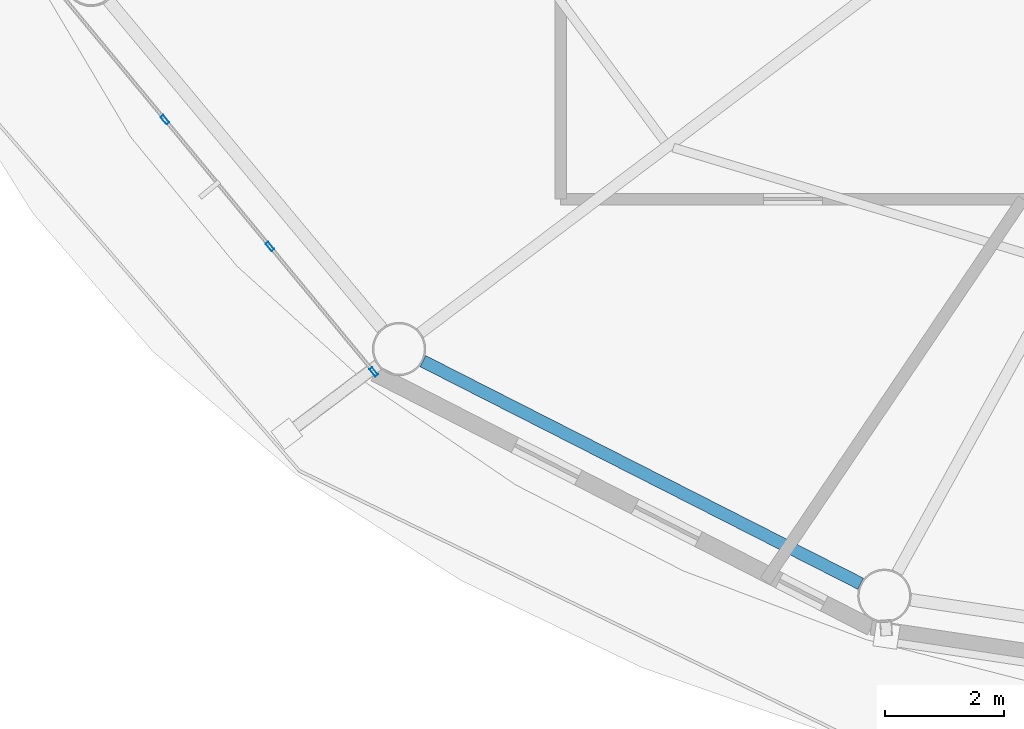
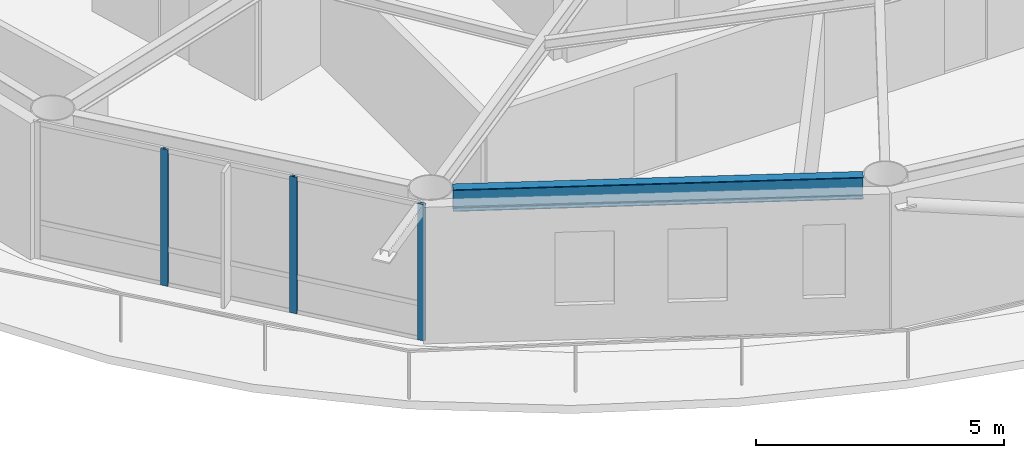
# One storey, part 2 of 23: 3 members, 1 beam, 1 element without a shape of its own.
"""IFC4 building model written with IfcOpenShell, lengths in metres."""

from ifc_helpers import new_model, si_unit, direction, frame, origin, origin_2d, place, context, subcontext, project, spatial, hollow_rectangle, i_section, extrude, material, layer, layer_set, material_profile, profile_set, type_object, element, aggregate, save


model = new_model("IFC4")

# Units and contexts
model_context = context("Model", 3, precision=1e-05, world=origin(), true_north=direction((0.0, 1.0)))
body_context = subcontext(model_context, "Body", "Model", "MODEL_VIEW")
ifc_project = project(units=[si_unit("LENGTHUNIT", "METRE"), si_unit("AREAUNIT", "SQUARE_METRE"), si_unit("VOLUMEUNIT", "CUBIC_METRE"), si_unit("PLANEANGLEUNIT", "RADIAN"), si_unit("MASSUNIT", "GRAM", prefix="KILO")], contexts=[model_context])

# Site, building, storey
site_placement = place(None, origin())
site = spatial("IfcSite", under=ifc_project, at=site_placement, CompositionType="ELEMENT")
building_placement = place(site_placement, origin())
building = spatial("IfcBuilding", under=site, at=building_placement, Name="Sarneth Arch Tower", CompositionType="ELEMENT")
storey_placement = place(building_placement, frame((0.0, 0.0, 231.60009765625)))
storey = spatial("IfcBuildingStorey", under=building, at=storey_placement, Name="L59", CompositionType="ELEMENT", Elevation=231.60009765625)

# Beam
ifc_material_1 = material(Name="Steel S355", Category="steel")
ifc_material_profile_1 = material_profile(ifc_material_1, i_section(OverallWidth=0.2109375, OverallDepth=0.5390625, WebThickness=0.01171875, FlangeThickness=0.018798828125, FilletRadius=0.01806640625, at=origin_2d()), Name="W530x109")
ifc_profile_set_1 = profile_set([ifc_material_profile_1], Name="Steel S355")
beam_type = type_object("IfcBeamType", Name="BM-RAD-530B", PredefinedType="BEAM", material=ifc_profile_set_1)
beam_placement = place(storey_placement, frame((30.42578125, 28.219482421875, 3.09033203125), z_axis=(0.891376248079, -0.453264144138, 0.0), x_axis=(0.453264144138, 0.891376248079, 0.0)))
element("IfcBeam", 1, at=beam_placement, inside=storey, type_object=beam_type, Name="L59 Perimeter spandrel beam 11", PredefinedType="BEAM", context=body_context, shape_type="SweptSolid", body=[
    extrude(i_section(OverallWidth=0.2109375, OverallDepth=0.5390625, WebThickness=0.01171875, FlangeThickness=0.018798828125, FilletRadius=0.01806640625, at=origin_2d()), origin(), (0.0, 0.0, 1.0), 8.281982421875),
])

# Curtain wall, members
ifc_material_2 = material(Name="Anodised aluminium Type AA25 and solar-control low-e laminated IGU", Category="aluminium")
ifc_layer = layer(ifc_material_2, 0.179931640625)
ifc_layer_set = layer_set([ifc_layer], Name="Anodised aluminium Type AA25 and solar-control low-e laminated IGU")
curtain_wall_type = type_object("IfcCurtainWallType", Name="CW-RES-HIGH", PredefinedType="NOTDEFINED", material=ifc_layer_set)
curtain_wall_placement = place(storey_placement, origin())
curtain_wall = element("IfcCurtainWall", 2, at=curtain_wall_placement, inside=storey, type_object=curtain_wall_type, Name="L59 Unitised curtain wall facet 10", PredefinedType="NOTDEFINED")
ifc_material_3 = material(Name="Anodised Aluminium 6063-T6", Category="aluminium")
ifc_material_profile_2 = material_profile(ifc_material_3, hollow_rectangle(XDim=0.06005859375, YDim=0.159912109375, WallThickness=0.00390625, at=origin_2d()), Name="AL-MULL-160x60x4")
ifc_profile_set_2 = profile_set([ifc_material_profile_2], Name="Anodised Aluminium 6063-T6")
member_type = type_object("IfcMemberType", Name="CW-MULLION", PredefinedType="MULLION", material=ifc_profile_set_2)
member_1_placement = place(storey_placement, frame((26.07666015625, 32.29150390625, 0.0), z_axis=(0.0, 0.0, 1.0), x_axis=(0.770359245933, 0.637610094184, 0.0)))
member_1 = element("IfcMember", 3, at=member_1_placement, type_object=member_type, Name="CW-SYS-6 mullion 2", PredefinedType="MULLION", context=body_context, shape_type="SweptSolid", body=[
    extrude(hollow_rectangle(XDim=0.06005859375, YDim=0.159912109375, WallThickness=0.00390625, at=origin_2d()), origin(), (0.0, 0.0, 1.0), 3.35986328125),
])
member_2_placement = place(storey_placement, frame((27.84716796875, 30.15234375, 0.0), z_axis=(0.0, 0.0, 1.0), x_axis=(0.770359245933, 0.637610094184, 0.0)))
member_2 = element("IfcMember", 4, at=member_2_placement, type_object=member_type, Name="CW-SYS-6 mullion 3", PredefinedType="MULLION", context=body_context, shape_type="SweptSolid", body=[
    extrude(hollow_rectangle(XDim=0.06005859375, YDim=0.159912109375, WallThickness=0.00390625, at=origin_2d()), origin(), (0.0, 0.0, 1.0), 3.35986328125),
])
member_3_placement = place(storey_placement, frame((29.598388671875, 28.03662109375, 0.0), z_axis=(0.0, 0.0, 1.0), x_axis=(0.770359245933, 0.637610094184, 0.0)))
member_3 = element("IfcMember", 5, at=member_3_placement, type_object=member_type, Name="CW-SYS-6 mullion 4", PredefinedType="MULLION", context=body_context, shape_type="SweptSolid", body=[
    extrude(hollow_rectangle(XDim=0.06005859375, YDim=0.159912109375, WallThickness=0.00390625, at=origin_2d()), origin(), (0.0, 0.0, 1.0), 3.35986328125),
])
aggregate(curtain_wall, [member_1, member_2, member_3])

save(model, "model.ifc")
